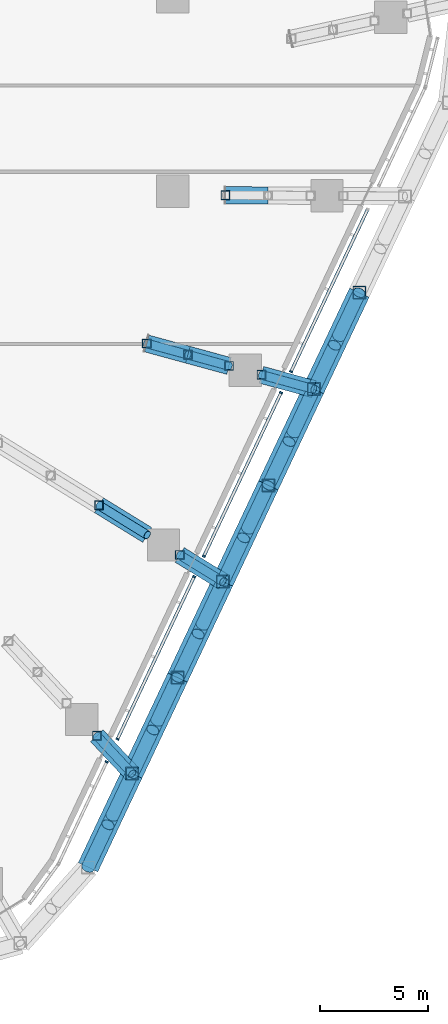
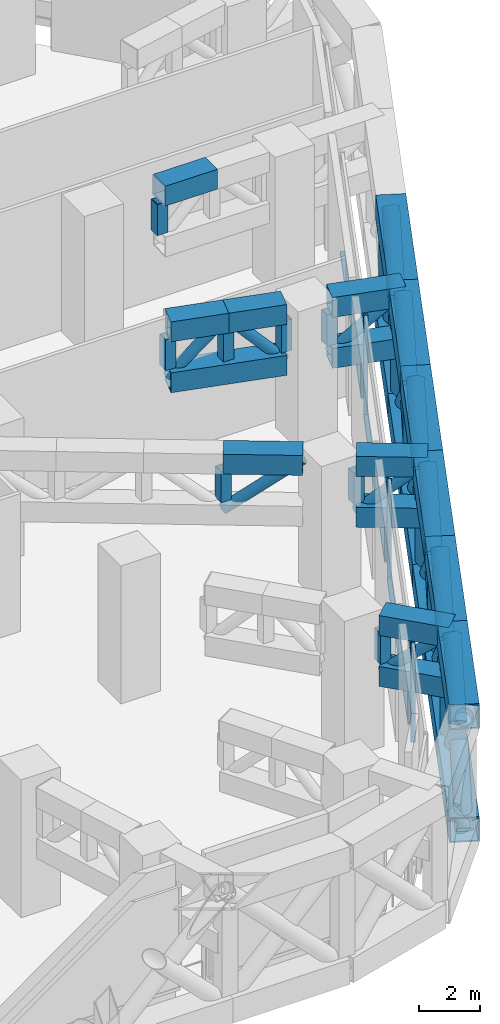
# One storey, part 10 of 38: 70 members, 1 element without a shape of its own.
"""IFC4 building model written with IfcOpenShell, lengths in metres."""

from ifc_helpers import new_model, si_unit, direction, frame, origin, origin_2d, place, context, subcontext, project, spatial, rectangle, hollow_rectangle, hollow_circle, extrude, material, layer, layer_set, material_profile, profile_set, type_object, element, aggregate, save


model = new_model("IFC4")

# Units and contexts
model_context = context("Model", 3, precision=1e-05, world=origin(), true_north=direction((0.0, 1.0)))
body_context = subcontext(model_context, "Body", "Model", "MODEL_VIEW")
ifc_project = project(units=[si_unit("LENGTHUNIT", "METRE"), si_unit("AREAUNIT", "SQUARE_METRE"), si_unit("VOLUMEUNIT", "CUBIC_METRE"), si_unit("PLANEANGLEUNIT", "RADIAN"), si_unit("MASSUNIT", "GRAM", prefix="KILO")], contexts=[model_context])

# Site, building, storey
site_placement = place(None, origin())
site = spatial("IfcSite", under=ifc_project, at=site_placement, CompositionType="ELEMENT")
building_placement = place(site_placement, origin())
building = spatial("IfcBuilding", under=site, at=building_placement, Name="Dongbaek Canopy Tower", CompositionType="ELEMENT")
storey_placement = place(building_placement, frame((0.0, 0.0, 89.199951171875)))
storey = spatial("IfcBuildingStorey", under=building, at=storey_placement, Name="L18", CompositionType="ELEMENT", Elevation=89.199951171875)

# Members
ifc_material_1 = material(Name="Steel S355", Category="steel")
ifc_material_profile_1 = material_profile(ifc_material_1, hollow_circle(Radius=0.304931640625, WallThickness=0.01611328125, at=origin_2d()), Name="BELT BRACE CHS 610.0x16.0 Steel S355")
ifc_profile_set_1 = profile_set([ifc_material_profile_1], Name="Steel S355")
member_type_1 = type_object("IfcMemberType", Name="BELT BRACE CHS 610.0x16.0 Steel S355", PredefinedType="BRACE", material=ifc_profile_set_1)
member_1_placement = place(storey_placement, frame((35.6416015625, -4.6884765625, 0.5), z_axis=(-0.313946396255, -0.664739936457, 0.677907425212), x_axis=(0.904226887343, -0.427052381103, 0.0)))
element("IfcMember", 1, at=member_1_placement, inside=storey, type_object=member_type_1, Name="BELT:L18:22:D1:0", PredefinedType="BRACE", context=body_context, shape_type="SweptSolid", body=[
    extrude(hollow_circle(Radius=0.304931640625, WallThickness=0.01611328125, at=origin_2d()), origin(), (0.0, 0.0, 1.0), 6.7119140625),
])
for number, where, z_axis, x_axis, name in (
    (2, (33.534423828125, -9.150146484375, 0.5), (0.313948464828, 0.664719034149, 0.677926962934), (-0.904220615129, 0.427065661433, 0.0), "BELT:L18:22:D1:1"),
    (3, (35.6416015625, -4.6884765625, 5.050048828125), (-0.313948464828, -0.664719034149, -0.677926962934), (0.904220615129, -0.427065661433, 0.0), "BELT:L18:22:D1:2"),
):
    element("IfcMember", number, at=place(storey_placement, frame(where, z_axis=z_axis, x_axis=x_axis)), inside=storey, type_object=member_type_1, Name=name, PredefinedType="BRACE", context=body_context, shape_type="SweptSolid", body=[
        extrude(hollow_circle(Radius=0.304931640625, WallThickness=0.01611328125, at=origin_2d()), origin(), (0.0, 0.0, 1.0), 3.0498046875),
    ])
member_2_placement = place(storey_placement, frame((33.534423828125, -9.150146484375, 0.5), z_axis=(-0.313689531778, -0.66422374858, 0.678532010649), x_axis=(0.904233761556, -0.427037825563, 0.0)))
element("IfcMember", 4, at=member_2_placement, inside=storey, type_object=member_type_1, Name="BELT:L18:23:D0:0", PredefinedType="BRACE", context=body_context, shape_type="SweptSolid", body=[
    extrude(hollow_circle(Radius=0.304931640625, WallThickness=0.01611328125, at=origin_2d()), origin(), (0.0, 0.0, 1.0), 6.705810546875),
])
for number, where, z_axis, x_axis, name in (
    (5, (31.430908203125, -13.604248046875, 0.5), (0.313693918214, 0.664245870242, 0.678508326804), (-0.904236947443, 0.427031079522, 0.0), "BELT:L18:23:D0:1"),
    (6, (33.534423828125, -9.150146484375, 5.050048828125), (-0.313693918214, -0.664245870242, -0.678508326804), (0.904236947443, -0.427031079522, 0.0), "BELT:L18:23:D0:2"),
):
    element("IfcMember", number, at=place(storey_placement, frame(where, z_axis=z_axis, x_axis=x_axis)), inside=storey, type_object=member_type_1, Name=name, PredefinedType="BRACE", context=body_context, shape_type="SweptSolid", body=[
        extrude(hollow_circle(Radius=0.304931640625, WallThickness=0.01611328125, at=origin_2d()), origin(), (0.0, 0.0, 1.0), 3.046875),
    ])
member_3_placement = place(storey_placement, frame((31.430908203125, -13.604248046875, 0.5), z_axis=(-0.313697117774, -0.66420340292, 0.67854841968), x_axis=(0.904224722512, -0.427056964817, 0.0)))
element("IfcMember", 7, at=member_3_placement, inside=storey, type_object=member_type_1, Name="BELT:L18:23:D1:0", PredefinedType="BRACE", context=body_context, shape_type="SweptSolid", body=[
    extrude(hollow_circle(Radius=0.304931640625, WallThickness=0.01611328125, at=origin_2d()), origin(), (0.0, 0.0, 1.0), 6.70556640625),
])
for number, where, z_axis, x_axis, name in (
    (8, (29.327392578125, -18.05810546875, 0.5), (0.313710614419, 0.664201093977, 0.678544440077), (-0.904217053955, 0.42707320138, 0.0), "BELT:L18:23:D1:1"),
    (9, (31.430908203125, -13.604248046875, 5.050048828125), (-0.313710614419, -0.664201093977, -0.678544440077), (0.904217053955, -0.42707320138, 0.0), "BELT:L18:23:D1:2"),
):
    element("IfcMember", number, at=place(storey_placement, frame(where, z_axis=z_axis, x_axis=x_axis)), inside=storey, type_object=member_type_1, Name=name, PredefinedType="BRACE", context=body_context, shape_type="SweptSolid", body=[
        extrude(hollow_circle(Radius=0.304931640625, WallThickness=0.01611328125, at=origin_2d()), origin(), (0.0, 0.0, 1.0), 3.046875),
    ])
member_4_placement = place(storey_placement, frame((29.327392578125, -18.05810546875, 0.5), z_axis=(-0.313396560671, -0.663639722439, 0.679238481361), x_axis=(0.904242787825, -0.427018712313, 0.0)))
element("IfcMember", 10, at=member_4_placement, inside=storey, type_object=member_type_1, Name="BELT:L18:24:D0:0", PredefinedType="BRACE", context=body_context, shape_type="SweptSolid", body=[
    extrude(hollow_circle(Radius=0.304931640625, WallThickness=0.01611328125, at=origin_2d()), origin(), (0.0, 0.0, 1.0), 6.69873046875),
])
for number, where, z_axis, x_axis, name in (
    (11, (27.22802734375, -22.503662109375, 0.5), (0.313416403685, 0.663653418911, 0.679215943179), (-0.904235751047, 0.427033612878, 0.0), "BELT:L18:24:D0:1"),
    (12, (29.327392578125, -18.05810546875, 5.050048828125), (-0.313344061679, -0.663670102987, -0.679233018493), (0.904277953453, -0.42694423863, 0.0), "BELT:L18:24:D0:2"),
):
    element("IfcMember", number, at=place(storey_placement, frame(where, z_axis=z_axis, x_axis=x_axis)), inside=storey, type_object=member_type_1, Name=name, PredefinedType="BRACE", context=body_context, shape_type="SweptSolid", body=[
        extrude(hollow_circle(Radius=0.304931640625, WallThickness=0.01611328125, at=origin_2d()), origin(), (0.0, 0.0, 1.0), 3.04345703125),
    ])
member_5_placement = place(storey_placement, frame((27.22802734375, -22.503662109375, 0.5), z_axis=(-0.313404140802, -0.663619327331, 0.67925491012), x_axis=(0.904233732126, -0.427037887882, 0.0)))
element("IfcMember", 13, at=member_5_placement, inside=storey, type_object=member_type_1, Name="BELT:L18:24:D1:0", PredefinedType="BRACE", context=body_context, shape_type="SweptSolid", body=[
    extrude(hollow_circle(Radius=0.304931640625, WallThickness=0.01611328125, at=origin_2d()), origin(), (0.0, 0.0, 1.0), 6.698486328125),
])
member_6_placement = place(storey_placement, frame((25.128662109375, -26.948974609375, 0.5), z_axis=(0.313416403685, 0.663653418911, 0.679215943179), x_axis=(-0.904235751047, 0.427033612878, 0.0)))
element("IfcMember", 14, at=member_6_placement, inside=storey, type_object=member_type_1, Name="BELT:L18:24:D1:1", PredefinedType="BRACE", context=body_context, shape_type="SweptSolid", body=[
    extrude(hollow_circle(Radius=0.304931640625, WallThickness=0.01611328125, at=origin_2d()), origin(), (0.0, 0.0, 1.0), 3.04345703125),
])
member_7_placement = place(storey_placement, frame((27.22802734375, -22.503662109375, 5.050048828125), z_axis=(-0.313360744573, -0.663625212264, -0.679269181848), x_axis=(0.904258026283, -0.426986442295, 0.0)))
element("IfcMember", 15, at=member_7_placement, inside=storey, type_object=member_type_1, Name="BELT:L18:24:D1:2", PredefinedType="BRACE", context=body_context, shape_type="SweptSolid", body=[
    extrude(hollow_circle(Radius=0.304931640625, WallThickness=0.01611328125, at=origin_2d()), origin(), (0.0, 0.0, 1.0), 3.043212890625),
])
member_8_placement = place(storey_placement, frame((25.128662109375, -26.948974609375, 0.5), z_axis=(-0.309767893299, -0.655916062609, 0.688344369551), x_axis=(0.904232808887, -0.427039842792, 0.0)))
element("IfcMember", 16, at=member_8_placement, inside=storey, type_object=member_type_1, Name="BELT:L18:25:D0:0", PredefinedType="BRACE", context=body_context, shape_type="SweptSolid", body=[
    extrude(hollow_circle(Radius=0.304931640625, WallThickness=0.01611328125, at=origin_2d()), origin(), (0.0, 0.0, 1.0), 6.610107421875),
])
member_9_placement = place(storey_placement, frame((23.0810546875, -31.28466796875, 0.5), z_axis=(0.309757755855, 0.655895363751, 0.688368654499), x_axis=(-0.90423300162, 0.42703943469, 0.0)))
element("IfcMember", 17, at=member_9_placement, inside=storey, type_object=member_type_1, Name="BELT:L18:25:D0:1", PredefinedType="BRACE", context=body_context, shape_type="SweptSolid", body=[
    extrude(hollow_circle(Radius=0.304931640625, WallThickness=0.01611328125, at=origin_2d()), origin(), (0.0, 0.0, 1.0), 2.999755859375),
])
member_10_placement = place(storey_placement, frame((25.128662109375, -26.948974609375, 5.050048828125), z_axis=(-0.309775110171, -0.655932110581, -0.688325829406), x_axis=(0.90423300162, -0.42703943469, 0.0)))
element("IfcMember", 18, at=member_10_placement, inside=storey, type_object=member_type_1, Name="BELT:L18:25:D0:2", PredefinedType="BRACE", context=body_context, shape_type="SweptSolid", body=[
    extrude(hollow_circle(Radius=0.304931640625, WallThickness=0.01611328125, at=origin_2d()), origin(), (0.0, 0.0, 1.0), 2.99951171875),
])
ifc_material_2 = material(Name="Steel S355", Category="steel")
ifc_material_profile_2 = material_profile(ifc_material_2, hollow_rectangle(XDim=1.0, YDim=1.0, WallThickness=0.050048828125, at=origin_2d()), Name="BELT CHORD BOX 1000x1000x50 Steel S355")
ifc_profile_set_2 = profile_set([ifc_material_profile_2], Name="Steel S355")
member_type_2 = type_object("IfcMemberType", Name="BELT CHORD BOX 1000x1000x50 Steel S355", PredefinedType="CHORD", material=ifc_profile_set_2)
for number, where, z_axis, x_axis, name in (
    (19, (35.6416015625, -4.6884765625, 0.5), (-0.427052381103, -0.904226887343, 0.0), (0.904226887343, -0.427052381103, 0.0), "BELT:L18:22:CB1"),
    (20, (35.6416015625, -4.6884765625, 5.050048828125), (-0.427052381103, -0.904226887343, 0.0), (0.904226887343, -0.427052381103, 0.0), "BELT:L18:22:CT1"),
):
    element("IfcMember", number, at=place(storey_placement, frame(where, z_axis=z_axis, x_axis=x_axis)), inside=storey, type_object=member_type_2, Name=name, PredefinedType="CHORD", context=body_context, shape_type="SweptSolid", body=[
        extrude(hollow_rectangle(XDim=1.0, YDim=1.0, WallThickness=0.050048828125, at=origin_2d()), origin(), (0.0, 0.0, 1.0), 4.934326171875),
    ])
for number, where, z_axis, x_axis, name in (
    (21, (33.534423828125, -9.150146484375, 0.5), (-0.427037825563, -0.904233761556, 0.0), (0.904233761556, -0.427037825563, 0.0), "BELT:L18:23:CB0"),
    (22, (33.534423828125, -9.150146484375, 5.050048828125), (-0.427037825563, -0.904233761556, 0.0), (0.904233761556, -0.427037825563, 0.0), "BELT:L18:23:CT0"),
):
    element("IfcMember", number, at=place(storey_placement, frame(where, z_axis=z_axis, x_axis=x_axis)), inside=storey, type_object=member_type_2, Name=name, PredefinedType="CHORD", context=body_context, shape_type="SweptSolid", body=[
        extrude(hollow_rectangle(XDim=1.0, YDim=1.0, WallThickness=0.050048828125, at=origin_2d()), origin(), (0.0, 0.0, 1.0), 4.92578125),
    ])
for number, where, z_axis, x_axis, name in (
    (23, (31.430908203125, -13.604248046875, 0.5), (-0.427056964817, -0.904224722512, 0.0), (0.904224722512, -0.427056964817, 0.0), "BELT:L18:23:CB1"),
    (24, (31.430908203125, -13.604248046875, 5.050048828125), (-0.427056964817, -0.904224722512, 0.0), (0.904224722512, -0.427056964817, 0.0), "BELT:L18:23:CT1"),
):
    element("IfcMember", number, at=place(storey_placement, frame(where, z_axis=z_axis, x_axis=x_axis)), inside=storey, type_object=member_type_2, Name=name, PredefinedType="CHORD", context=body_context, shape_type="SweptSolid", body=[
        extrude(hollow_rectangle(XDim=1.0, YDim=1.0, WallThickness=0.050048828125, at=origin_2d()), origin(), (0.0, 0.0, 1.0), 4.925537109375),
    ])
for number, where, z_axis, x_axis, name in (
    (25, (29.327392578125, -18.05810546875, 0.5), (-0.427018712313, -0.904242787825, 0.0), (0.904242787825, -0.427018712313, 0.0), "BELT:L18:24:CB0"),
    (26, (29.327392578125, -18.05810546875, 5.050048828125), (-0.427018712313, -0.904242787825, 0.0), (0.904242787825, -0.427018712313, 0.0), "BELT:L18:24:CT0"),
):
    element("IfcMember", number, at=place(storey_placement, frame(where, z_axis=z_axis, x_axis=x_axis)), inside=storey, type_object=member_type_2, Name=name, PredefinedType="CHORD", context=body_context, shape_type="SweptSolid", body=[
        extrude(hollow_rectangle(XDim=1.0, YDim=1.0, WallThickness=0.050048828125, at=origin_2d()), origin(), (0.0, 0.0, 1.0), 4.916259765625),
    ])
for number, where, z_axis, x_axis, name in (
    (27, (27.22802734375, -22.503662109375, 0.5), (-0.427037887882, -0.904233732126, 0.0), (0.904233732126, -0.427037887882, 0.0), "BELT:L18:24:CB1"),
    (28, (27.22802734375, -22.503662109375, 5.050048828125), (-0.427037887882, -0.904233732126, 0.0), (0.904233732126, -0.427037887882, 0.0), "BELT:L18:24:CT1"),
):
    element("IfcMember", number, at=place(storey_placement, frame(where, z_axis=z_axis, x_axis=x_axis)), inside=storey, type_object=member_type_2, Name=name, PredefinedType="CHORD", context=body_context, shape_type="SweptSolid", body=[
        extrude(hollow_rectangle(XDim=1.0, YDim=1.0, WallThickness=0.050048828125, at=origin_2d()), origin(), (0.0, 0.0, 1.0), 4.916015625),
    ])
for number, where, z_axis, x_axis, name in (
    (29, (25.128662109375, -26.948974609375, 0.5), (-0.427039842792, -0.904232808887, 0.0), (0.904232808887, -0.427039842792, 0.0), "BELT:L18:25:CB0"),
    (30, (25.128662109375, -26.948974609375, 5.050048828125), (-0.427039842792, -0.904232808887, 0.0), (0.904232808887, -0.427039842792, 0.0), "BELT:L18:25:CT0"),
):
    element("IfcMember", number, at=place(storey_placement, frame(where, z_axis=z_axis, x_axis=x_axis)), inside=storey, type_object=member_type_2, Name=name, PredefinedType="CHORD", context=body_context, shape_type="SweptSolid", body=[
        extrude(hollow_rectangle(XDim=1.0, YDim=1.0, WallThickness=0.050048828125, at=origin_2d()), origin(), (0.0, 0.0, 1.0), 4.794921875),
    ])
ifc_material_3 = material(Name="Steel S355", Category="steel")
ifc_material_profile_3 = material_profile(ifc_material_3, hollow_rectangle(XDim=0.60009765625, YDim=0.60009765625, WallThickness=0.031982421875, at=origin_2d()), Name="BELT POST BOX 600x600x32 Steel S355")
ifc_profile_set_3 = profile_set([ifc_material_profile_3], Name="Steel S355")
member_type_3 = type_object("IfcMemberType", Name="BELT POST BOX 600x600x32 Steel S355", PredefinedType="POST", material=ifc_profile_set_3)
for number, where, z_axis, x_axis, name in (
    (31, (35.6416015625, -4.6884765625, 1.0), (0.0, 0.0, 1.0), (1.0, 0.0, 0.0), "BELT:L18:22:P1"),
    (32, (33.534423828125, -9.150146484375, 1.0), (0.0, 0.0, 1.0), (1.0, 0.0, 0.0), "BELT:L18:23:P0"),
    (33, (31.430908203125, -13.604248046875, 1.0), (0.0, 0.0, 1.0), (1.0, 0.0, 0.0), "BELT:L18:23:P1"),
    (34, (29.327392578125, -18.05810546875, 1.0), (0.0, 0.0, 1.0), (1.0, 0.0, 0.0), "BELT:L18:24:P0"),
    (35, (27.22802734375, -22.503662109375, 1.0), (0.0, 0.0, 1.0), (1.0, 0.0, 0.0), "BELT:L18:24:P1"),
    (36, (25.128662109375, -26.948974609375, 1.0), (0.0, 0.0, 1.0), (1.0, 0.0, 0.0), "BELT:L18:25:P0"),
):
    element("IfcMember", number, at=place(storey_placement, frame(where, z_axis=z_axis, x_axis=x_axis)), inside=storey, type_object=member_type_3, Name=name, PredefinedType="POST", context=body_context, shape_type="SweptSolid", body=[
        extrude(hollow_rectangle(XDim=0.60009765625, YDim=0.60009765625, WallThickness=0.031982421875, at=origin_2d()), origin(), (0.0, 0.0, 1.0), 3.550048828125),
    ])
ifc_material_4 = material(Name="Steel S355", Category="steel")
ifc_material_profile_4 = material_profile(ifc_material_4, hollow_circle(Radius=0.203125, WallThickness=0.0126953125, at=origin_2d()), Name="BRACE CHS 406.4x12.7 Steel S355")
ifc_profile_set_4 = profile_set([ifc_material_profile_4], Name="Steel S355")
member_type_4 = type_object("IfcMemberType", Name="BRACE CHS 406.4x12.7 Steel S355", PredefinedType="BRACE", material=ifc_profile_set_4)
for number, where, z_axis, x_axis, name in (
    (37, (25.79931640625, -7.03955078125, 3.10009765625), (0.669313171801, -0.182680299326, 0.720172053257), (0.263305680033, 0.964712453979, 0.0), "TRUSS:L18:23:D0"),
    (38, (27.70458984375, -7.5595703125, 5.150146484375), (0.669370995816, -0.182586912248, -0.720141992552), (0.26315924175, 0.964752410456, 0.0), "TRUSS:L18:23:D1"),
):
    element("IfcMember", number, at=place(storey_placement, frame(where, z_axis=z_axis, x_axis=x_axis)), inside=storey, type_object=member_type_4, Name=name, PredefinedType="BRACE", context=body_context, shape_type="SweptSolid", body=[
        extrude(hollow_circle(Radius=0.203125, WallThickness=0.0126953125, at=origin_2d()), origin(), (0.0, 0.0, 1.0), 2.8466796875),
    ])
member_11_placement = place(storey_placement, frame((31.110107421875, -8.488525390625, 3.10009765625), z_axis=(0.747528616564, -0.204008313282, 0.632124651892), x_axis=(0.263281812982, 0.964718967862, 0.0)))
element("IfcMember", 39, at=member_11_placement, inside=storey, type_object=member_type_4, Name="TRUSS:L18:23x:D0", PredefinedType="BRACE", context=body_context, shape_type="SweptSolid", body=[
    extrude(hollow_circle(Radius=0.203125, WallThickness=0.0126953125, at=origin_2d()), origin(), (0.0, 0.0, 1.0), 3.2431640625),
])
member_12_placement = place(storey_placement, frame((27.325927734375, -16.82568359375, 3.10009765625), z_axis=(0.641725078331, -0.39514859666, 0.657302449713), x_axis=(0.524329216233, 0.85151563286, 0.0)))
element("IfcMember", 40, at=member_12_placement, inside=storey, type_object=member_type_4, Name="TRUSS:L18:24x:D0", PredefinedType="BRACE", context=body_context, shape_type="SweptSolid", body=[
    extrude(hollow_circle(Radius=0.203125, WallThickness=0.0126953125, at=origin_2d()), origin(), (0.0, 0.0, 1.0), 3.118896484375),
])
member_13_placement = place(storey_placement, frame((23.4912109375, -25.193115234375, 3.10009765625), z_axis=(0.518664323355, -0.556170242071, 0.649355050426), x_axis=(0.731335873315, 0.682017478077, 0.0)))
element("IfcMember", 41, at=member_13_placement, inside=storey, type_object=member_type_4, Name="TRUSS:L18:25x:D0", PredefinedType="BRACE", context=body_context, shape_type="SweptSolid", body=[
    extrude(hollow_circle(Radius=0.203125, WallThickness=0.0126953125, at=origin_2d()), origin(), (0.0, 0.0, 1.0), 3.156982421875),
])
ifc_material_5 = material(Name="Steel S355", Category="steel")
ifc_material_profile_5 = material_profile(ifc_material_5, hollow_rectangle(XDim=0.800048828125, YDim=0.800048828125, WallThickness=0.0400390625, at=origin_2d()), Name="CHORD BOX 800x800x40 Steel S355")
ifc_profile_set_5 = profile_set([ifc_material_profile_5], Name="Steel S355")
member_type_5 = type_object("IfcMemberType", Name="CHORD BOX 800x800x40 Steel S355", PredefinedType="CHORD", material=ifc_profile_set_5)
member_14_placement = place(storey_placement, frame((29.443115234375, -0.1767578125, 5.150146484375), z_axis=(0.999981653191, -0.006057497961, 0.0), x_axis=(0.006057497961, 0.999981653191, 0.0)))
element("IfcMember", 42, at=member_14_placement, inside=storey, type_object=member_type_5, Name="TRUSS:L18:22:CT0", PredefinedType="CHORD", context=body_context, shape_type="SweptSolid", body=[
    extrude(hollow_rectangle(XDim=0.800048828125, YDim=0.800048828125, WallThickness=0.0400390625, at=origin_2d()), origin(), (0.0, 0.0, 1.0), 1.974853515625),
])
member_15_placement = place(storey_placement, frame((25.79931640625, -7.03955078125, 3.10009765625), z_axis=(0.964732435862, -0.263232458475, 0.0), x_axis=(0.263232458475, 0.964732435862, 0.0)))
element("IfcMember", 43, at=member_15_placement, inside=storey, type_object=member_type_5, Name="TRUSS:L18:23:CB", PredefinedType="CHORD", context=body_context, shape_type="SweptSolid", body=[
    extrude(hollow_rectangle(XDim=0.800048828125, YDim=0.800048828125, WallThickness=0.0400390625, at=origin_2d()), origin(), (0.0, 0.0, 1.0), 3.9501953125),
])
member_16_placement = place(storey_placement, frame((25.79931640625, -7.03955078125, 5.150146484375), z_axis=(0.964712453979, -0.263305680033, 0.0), x_axis=(0.263305680033, 0.964712453979, 0.0)))
element("IfcMember", 44, at=member_16_placement, inside=storey, type_object=member_type_5, Name="TRUSS:L18:23:CT0", PredefinedType="CHORD", context=body_context, shape_type="SweptSolid", body=[
    extrude(hollow_rectangle(XDim=0.800048828125, YDim=0.800048828125, WallThickness=0.0400390625, at=origin_2d()), origin(), (0.0, 0.0, 1.0), 1.974853515625),
])
member_17_placement = place(storey_placement, frame((27.70458984375, -7.5595703125, 5.150146484375), z_axis=(0.964752410456, -0.26315924175, 0.0), x_axis=(0.26315924175, 0.964752410456, 0.0)))
element("IfcMember", 45, at=member_17_placement, inside=storey, type_object=member_type_5, Name="TRUSS:L18:23:CT1", PredefinedType="CHORD", context=body_context, shape_type="SweptSolid", body=[
    extrude(hollow_rectangle(XDim=0.800048828125, YDim=0.800048828125, WallThickness=0.0400390625, at=origin_2d()), origin(), (0.0, 0.0, 1.0), 1.97509765625),
])
for number, where, z_axis, x_axis, name in (
    (46, (31.110107421875, -8.488525390625, 3.10009765625), (0.964718967862, -0.263281812982, 0.0), (0.263281812982, 0.964718967862, 0.0), "TRUSS:L18:23x:CB"),
    (47, (31.110107421875, -8.488525390625, 5.150146484375), (0.964718967862, -0.263281812982, 0.0), (0.263281812982, 0.964718967862, 0.0), "TRUSS:L18:23x:CT0"),
):
    element("IfcMember", number, at=place(storey_placement, frame(where, z_axis=z_axis, x_axis=x_axis)), inside=storey, type_object=member_type_5, Name=name, PredefinedType="CHORD", context=body_context, shape_type="SweptSolid", body=[
        extrude(hollow_rectangle(XDim=0.800048828125, YDim=0.800048828125, WallThickness=0.0400390625, at=origin_2d()), origin(), (0.0, 0.0, 1.0), 2.512939453125),
    ])
for number, where, z_axis, x_axis, name in (
    (48, (27.325927734375, -16.82568359375, 3.10009765625), (0.85151563286, -0.524329216233, 0.0), (0.524329216233, 0.85151563286, 0.0), "TRUSS:L18:24x:CB"),
    (49, (27.325927734375, -16.82568359375, 5.150146484375), (0.85151563286, -0.524329216233, 0.0), (0.524329216233, 0.85151563286, 0.0), "TRUSS:L18:24x:CT0"),
):
    element("IfcMember", number, at=place(storey_placement, frame(where, z_axis=z_axis, x_axis=x_axis)), inside=storey, type_object=member_type_5, Name=name, PredefinedType="CHORD", context=body_context, shape_type="SweptSolid", body=[
        extrude(hollow_rectangle(XDim=0.800048828125, YDim=0.800048828125, WallThickness=0.0400390625, at=origin_2d()), origin(), (0.0, 0.0, 1.0), 2.3505859375),
    ])
for number, where, z_axis, x_axis, name in (
    (50, (23.4912109375, -25.193115234375, 3.10009765625), (0.682017478077, -0.731335873315, 0.0), (0.731335873315, 0.682017478077, 0.0), "TRUSS:L18:25x:CB"),
    (51, (23.4912109375, -25.193115234375, 5.150146484375), (0.682017478077, -0.731335873315, 0.0), (0.731335873315, 0.682017478077, 0.0), "TRUSS:L18:25x:CT0"),
):
    element("IfcMember", number, at=place(storey_placement, frame(where, z_axis=z_axis, x_axis=x_axis)), inside=storey, type_object=member_type_5, Name=name, PredefinedType="CHORD", context=body_context, shape_type="SweptSolid", body=[
        extrude(hollow_rectangle(XDim=0.800048828125, YDim=0.800048828125, WallThickness=0.0400390625, at=origin_2d()), origin(), (0.0, 0.0, 1.0), 2.40087890625),
    ])

# Curtain wall, members
ifc_material_6 = material(Name="Aluminium 6063-T6 pale anodised", Category="aluminium")
ifc_layer = layer(ifc_material_6, 0.14990234375)
ifc_layer_set = layer_set([ifc_layer], Name="CW-7 louvre curtain wall")
curtain_wall_type = type_object("IfcCurtainWallType", Name="CW-7 louvre curtain wall", PredefinedType="NOTDEFINED", material=ifc_layer_set)
curtain_wall_placement = place(storey_placement, origin())
curtain_wall = element("IfcCurtainWall", 52, at=curtain_wall_placement, inside=storey, type_object=curtain_wall_type, Name="CW-7 louvre wall L18 F5", PredefinedType="NOTDEFINED")
ifc_material_7 = material(Name="Aluminium 6063-T6 pale anodised", Category="aluminium")
ifc_material_profile_6 = material_profile(ifc_material_7, rectangle(XDim=0.14990234375, YDim=0.080078125, at=origin_2d()), Name="CW-7 mullion 80 x 150")
ifc_profile_set_6 = profile_set([ifc_material_profile_6], Name="Aluminium 6063-T6 pale anodised")
member_type_6 = type_object("IfcMemberType", Name="CW-7 mullion 80 x 150", PredefinedType="MULLION", material=ifc_profile_set_6)
member_18_placement = place(storey_placement, frame((23.947998046875, -26.40478515625, 0.775146484375), z_axis=(0.0, 0.0, 1.0), x_axis=(0.904233210436, -0.427038992534, 0.0)))
member_18 = element("IfcMember", 53, at=member_18_placement, type_object=member_type_6, Name="CW-7 mullion L18 F5.1.2", PredefinedType="MULLION", context=body_context, shape_type="SweptSolid", body=[
    extrude(rectangle(XDim=0.14990234375, YDim=0.080078125, at=origin_2d()), origin(), (0.0, 0.0, 1.0), 4.0),
])
member_19_placement = place(storey_placement, frame((24.447265625, -25.347412109375, 0.775146484375), z_axis=(0.0, 0.0, 1.0), x_axis=(0.904233210436, -0.427038992534, 0.0)))
member_19 = element("IfcMember", 54, at=member_19_placement, type_object=member_type_6, Name="CW-7 mullion L18 F5.2.1", PredefinedType="MULLION", context=body_context, shape_type="SweptSolid", body=[
    extrude(rectangle(XDim=0.14990234375, YDim=0.080078125, at=origin_2d()), origin(), (0.0, 0.0, 1.0), 4.0),
])
member_20_placement = place(storey_placement, frame((27.99658203125, -17.832275390625, 0.775146484375), z_axis=(0.0, 0.0, 1.0), x_axis=(0.904233210436, -0.427038992534, 0.0)))
member_20 = element("IfcMember", 55, at=member_20_placement, type_object=member_type_6, Name="CW-7 mullion L18 F5.2.2", PredefinedType="MULLION", context=body_context, shape_type="SweptSolid", body=[
    extrude(rectangle(XDim=0.14990234375, YDim=0.080078125, at=origin_2d()), origin(), (0.0, 0.0, 1.0), 4.0),
])
member_21_placement = place(storey_placement, frame((28.44384765625, -16.88525390625, 0.775146484375), z_axis=(0.0, 0.0, 1.0), x_axis=(0.904233210436, -0.427038992534, 0.0)))
member_21 = element("IfcMember", 56, at=member_21_placement, type_object=member_type_6, Name="CW-7 mullion L18 F5.3.1", PredefinedType="MULLION", context=body_context, shape_type="SweptSolid", body=[
    extrude(rectangle(XDim=0.14990234375, YDim=0.080078125, at=origin_2d()), origin(), (0.0, 0.0, 1.0), 4.0),
])
member_22_placement = place(storey_placement, frame((32.02099609375, -9.310791015625, 0.775146484375), z_axis=(0.0, 0.0, 1.0), x_axis=(0.904233210436, -0.427038992534, 0.0)))
member_22 = element("IfcMember", 57, at=member_22_placement, type_object=member_type_6, Name="CW-7 mullion L18 F5.3.2", PredefinedType="MULLION", context=body_context, shape_type="SweptSolid", body=[
    extrude(rectangle(XDim=0.14990234375, YDim=0.080078125, at=origin_2d()), origin(), (0.0, 0.0, 1.0), 4.0),
])
member_23_placement = place(storey_placement, frame((32.47998046875, -8.338623046875, 0.775146484375), z_axis=(0.0, 0.0, 1.0), x_axis=(0.904233210436, -0.427038992534, 0.0)))
member_23 = element("IfcMember", 58, at=member_23_placement, type_object=member_type_6, Name="CW-7 mullion L18 F5.4.1", PredefinedType="MULLION", context=body_context, shape_type="SweptSolid", body=[
    extrude(rectangle(XDim=0.14990234375, YDim=0.080078125, at=origin_2d()), origin(), (0.0, 0.0, 1.0), 4.0),
])
ifc_material_8 = material(Name="Aluminium 6063-T6 pale anodised", Category="aluminium")
ifc_material_profile_7 = material_profile(ifc_material_8, rectangle(XDim=0.14990234375, YDim=0.1201171875, at=origin_2d()), Name="CW-7 transom 120 x 150")
ifc_profile_set_7 = profile_set([ifc_material_profile_7], Name="Aluminium 6063-T6 pale anodised")
member_type_7 = type_object("IfcMemberType", Name="CW-7 transom 120 x 150", PredefinedType="USERDEFINED", material=ifc_profile_set_7)
member_24_placement = place(storey_placement, frame((24.447265625, -25.347412109375, 0.715087890625), z_axis=(0.427055677234, 0.904225330624, 0.0), x_axis=(-0.904225330624, 0.427055677234, 0.0)))
member_24 = element("IfcMember", 59, at=member_24_placement, type_object=member_type_7, Name="CW-7 transom L18 F5.2", ObjectType="TRANSOM", PredefinedType="USERDEFINED", context=body_context, shape_type="SweptSolid", body=[
    extrude(rectangle(XDim=0.14990234375, YDim=0.1201171875, at=origin_2d()), origin(), (0.0, 0.0, 1.0), 8.31103515625),
])
member_25_placement = place(storey_placement, frame((28.44384765625, -16.88525390625, 0.715087890625), z_axis=(0.427037418028, 0.904233954021, 0.0), x_axis=(-0.904233954021, 0.427037418028, 0.0)))
member_25 = element("IfcMember", 60, at=member_25_placement, type_object=member_type_7, Name="CW-7 transom L18 F5.3", ObjectType="TRANSOM", PredefinedType="USERDEFINED", context=body_context, shape_type="SweptSolid", body=[
    extrude(rectangle(XDim=0.14990234375, YDim=0.1201171875, at=origin_2d()), origin(), (0.0, 0.0, 1.0), 8.376708984375),
])
member_26_placement = place(storey_placement, frame((32.47998046875, -8.338623046875, 0.715087890625), z_axis=(0.427047639025, 0.904229126938, 0.0), x_axis=(-0.904229126938, 0.427047639025, 0.0)))
member_26 = element("IfcMember", 61, at=member_26_placement, type_object=member_type_7, Name="CW-7 transom L18 F5.4", ObjectType="TRANSOM", PredefinedType="USERDEFINED", context=body_context, shape_type="SweptSolid", body=[
    extrude(rectangle(XDim=0.14990234375, YDim=0.1201171875, at=origin_2d()), origin(), (0.0, 0.0, 1.0), 8.317626953125),
])
aggregate(curtain_wall, [member_18, member_24, member_19, member_20, member_25, member_21, member_22, member_26, member_23])

# Members
ifc_material_9 = material(Name="Steel S355", Category="steel")
ifc_material_profile_8 = material_profile(ifc_material_9, hollow_circle(Radius=0.203125, WallThickness=0.0126953125, at=origin_2d()), Name="OUTRIGGER BRACE CHS 406.4x12.7 Steel S355")
ifc_profile_set_8 = profile_set([ifc_material_profile_8], Name="Steel S355")
member_type_8 = type_object("IfcMemberType", Name="OUTRIGGER BRACE CHS 406.4x12.7 Steel S355", PredefinedType="BRACE", material=ifc_profile_set_8)
member_27_placement = place(storey_placement, frame((23.591064453125, -14.52587890625, 3.10009765625), z_axis=(0.671057574451, -0.413234820535, 0.615563737455), x_axis=(0.524351709211, 0.851501782175, 0.0)))
element("IfcMember", 62, at=member_27_placement, inside=storey, type_object=member_type_8, Name="TRUSS:L18:24:D4", PredefinedType="BRACE", context=body_context, shape_type="SweptSolid", body=[
    extrude(hollow_circle(Radius=0.203125, WallThickness=0.0126953125, at=origin_2d()), origin(), (0.0, 0.0, 1.0), 3.330322265625),
])
ifc_material_10 = material(Name="Steel S355", Category="steel")
ifc_material_profile_9 = material_profile(ifc_material_10, hollow_rectangle(XDim=0.800048828125, YDim=0.800048828125, WallThickness=0.0400390625, at=origin_2d()), Name="OUTRIGGER CHORD BOX 800x800x40 Steel S355")
ifc_profile_set_9 = profile_set([ifc_material_profile_9], Name="Steel S355")
member_type_9 = type_object("IfcMemberType", Name="OUTRIGGER CHORD BOX 800x800x40 Steel S355", PredefinedType="CHORD", material=ifc_profile_set_9)
member_28_placement = place(storey_placement, frame((23.591064453125, -14.52587890625, 5.150146484375), z_axis=(0.851501782175, -0.524351709211, 0.0), x_axis=(0.524351709211, 0.851501782175, 0.0)))
element("IfcMember", 63, at=member_28_placement, inside=storey, type_object=member_type_9, Name="TRUSS:L18:24:CT4", PredefinedType="CHORD", context=body_context, shape_type="SweptSolid", body=[
    extrude(hollow_rectangle(XDim=0.800048828125, YDim=0.800048828125, WallThickness=0.0400390625, at=origin_2d()), origin(), (0.0, 0.0, 1.0), 2.62451171875),
])
ifc_material_11 = material(Name="Steel S355", Category="steel")
ifc_material_profile_10 = material_profile(ifc_material_11, hollow_rectangle(XDim=0.39990234375, YDim=0.39990234375, WallThickness=0.01611328125, at=origin_2d()), Name="OUTRIGGER POST SHS 400x400x16 Steel S355")
ifc_profile_set_10 = profile_set([ifc_material_profile_10], Name="Steel S355")
member_type_10 = type_object("IfcMemberType", Name="OUTRIGGER POST SHS 400x400x16 Steel S355", PredefinedType="POST", material=ifc_profile_set_10)
member_29_placement = place(storey_placement, frame((23.591064453125, -14.52587890625, 3.5), z_axis=(0.0, 0.0, 1.0), x_axis=(1.0, 0.0, 0.0)))
element("IfcMember", 64, at=member_29_placement, inside=storey, type_object=member_type_10, Name="TRUSS:L18:24:P4", PredefinedType="POST", context=body_context, shape_type="SweptSolid", body=[
    extrude(hollow_rectangle(XDim=0.39990234375, YDim=0.39990234375, WallThickness=0.01611328125, at=origin_2d()), origin(), (0.0, 0.0, 1.0), 1.25),
])
ifc_material_12 = material(Name="Steel S355", Category="steel")
ifc_material_profile_11 = material_profile(ifc_material_12, hollow_rectangle(XDim=0.39990234375, YDim=0.39990234375, WallThickness=0.01611328125, at=origin_2d()), Name="POST SHS 400x400x16 Steel S355")
ifc_profile_set_11 = profile_set([ifc_material_profile_11], Name="Steel S355")
member_type_11 = type_object("IfcMemberType", Name="POST SHS 400x400x16 Steel S355", PredefinedType="POST", material=ifc_profile_set_11)
for number, where, z_axis, x_axis, name in (
    (65, (29.443115234375, -0.1767578125, 3.5), (0.0, 0.0, 1.0), (1.0, 0.0, 0.0), "TRUSS:L18:22:P0"),
    (66, (25.79931640625, -7.03955078125, 3.5), (0.0, 0.0, 1.0), (1.0, 0.0, 0.0), "TRUSS:L18:23:P0"),
    (67, (27.70458984375, -7.5595703125, 3.5), (0.0, 0.0, 1.0), (1.0, 0.0, 0.0), "TRUSS:L18:23:P1"),
    (68, (29.610107421875, -8.079345703125, 3.5), (0.0, 0.0, 1.0), (1.0, 0.0, 0.0), "TRUSS:L18:23:P2"),
    (69, (31.110107421875, -8.488525390625, 3.5), (0.0, 0.0, 1.0), (1.0, 0.0, 0.0), "TRUSS:L18:23x:P0"),
    (70, (27.325927734375, -16.82568359375, 3.5), (0.0, 0.0, 1.0), (1.0, 0.0, 0.0), "TRUSS:L18:24x:P0"),
    (71, (23.4912109375, -25.193115234375, 3.5), (0.0, 0.0, 1.0), (1.0, 0.0, 0.0), "TRUSS:L18:25x:P0"),
):
    element("IfcMember", number, at=place(storey_placement, frame(where, z_axis=z_axis, x_axis=x_axis)), inside=storey, type_object=member_type_11, Name=name, PredefinedType="POST", context=body_context, shape_type="SweptSolid", body=[
        extrude(hollow_rectangle(XDim=0.39990234375, YDim=0.39990234375, WallThickness=0.01611328125, at=origin_2d()), origin(), (0.0, 0.0, 1.0), 1.25),
    ])

save(model, "model.ifc")
